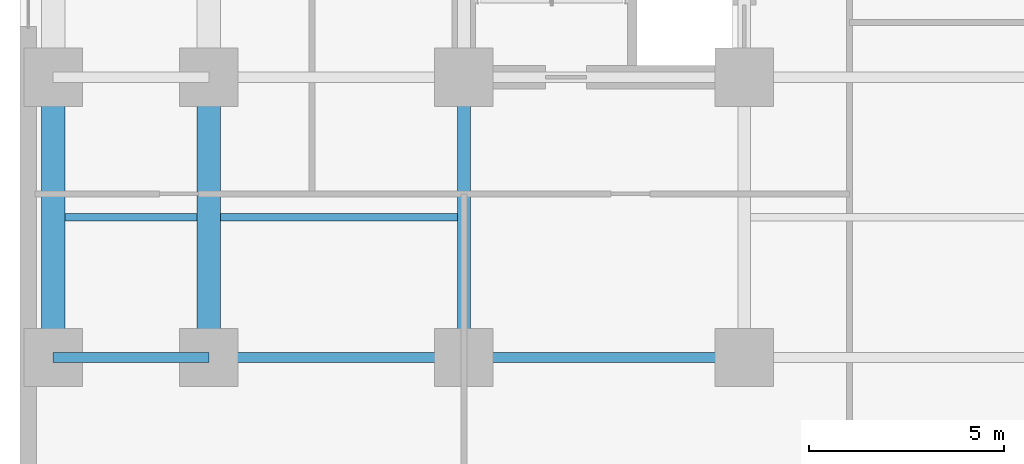
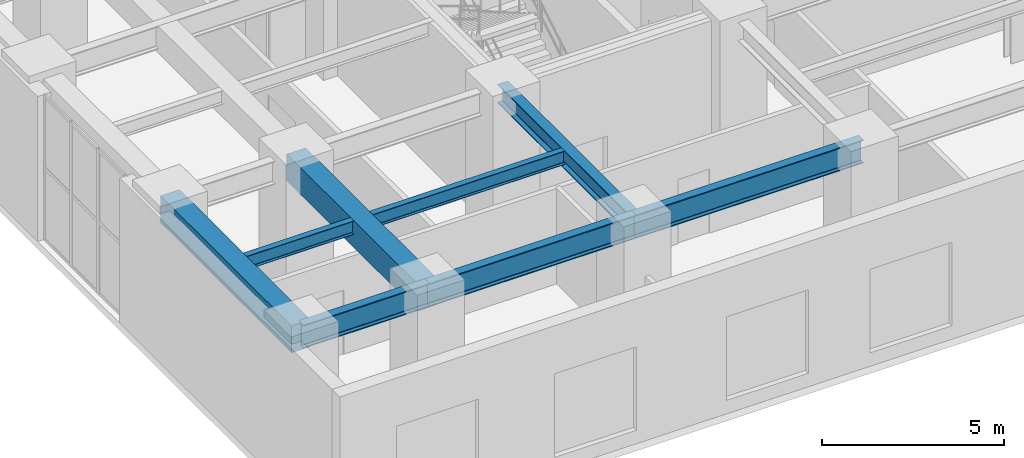
# One storey, part 3 of 23: 8 beams.
"""IFC4 building model written with IfcOpenShell, lengths in metres."""

from ifc_helpers import new_model, entity, si_unit, converted_unit, direction, frame, origin_with_axes, origin_2d_with_axis, place, context, subcontext, project, spatial, rectangle, i_section, extrude, material, material_profile, profile_set, type_object, element, save


model = new_model("IFC4")

# Units and contexts
model_context = context("Model", 3, precision=1e-05, world=origin_with_axes(), true_north=direction((0.0, 1.0)))
body_context = subcontext(model_context, "Body", "Model", "MODEL_VIEW")
ifc_project = project(units=[si_unit("LENGTHUNIT", "METRE"), si_unit("AREAUNIT", "SQUARE_METRE"), si_unit("VOLUMEUNIT", "CUBIC_METRE"), converted_unit("PLANEANGLEUNIT", "DEGREE", entity("IfcPlaneAngleMeasure", 0.017453292519943295), si_unit("PLANEANGLEUNIT", "RADIAN"), dimensions=[0, 0, 0, 0, 0, 0, 0]), si_unit("MASSUNIT", "GRAM", prefix="KILO"), si_unit("THERMODYNAMICTEMPERATUREUNIT", "KELVIN")], contexts=[model_context])

# Site, building, storey
site_placement = place(None, origin_with_axes())
site = spatial("IfcSite", under=ifc_project, at=site_placement, CompositionType="ELEMENT")
building_placement = place(site_placement, origin_with_axes())
building = spatial("IfcBuilding", under=site, at=building_placement, Name="Varnlund Millrace Tower", CompositionType="ELEMENT")
storey_placement = place(building_placement, frame((0.0, 0.0, 5.7), z_axis=(0.0, 0.0, 1.0), x_axis=(1.0, 0.0, 0.0)))
storey = spatial("IfcBuildingStorey", under=building, at=storey_placement, Name="L01", CompositionType="ELEMENT", Elevation=5.7)

# Beams
ifc_material_1 = material(Name="Steel ASTM A992 Grade 50", Category="steel")
ifc_material_profile_1 = material_profile(ifc_material_1, i_section(OverallWidth=0.328, OverallDepth=0.628, WebThickness=0.0165, FlangeThickness=0.0277, FilletRadius=0.018, at=origin_2d_with_axis()), Name="Steel ASTM A992 Grade 50")
ifc_profile_set_1 = profile_set([ifc_material_profile_1], Name="Steel ASTM A992 Grade 50")
beam_type_1 = type_object("IfcBeamType", Name="Type-Girder-W24X146", PredefinedType="USERDEFINED", material=ifc_profile_set_1)
beam_1_placement = place(storey_placement, frame((11.4, 3.6, 4.546), z_axis=(0.0, 1.0, 0.0), x_axis=(-1.0, 0.0, 0.0)))
element("IfcBeam", 1, at=beam_1_placement, inside=storey, type_object=beam_type_1, Name="Type-Girder-W24X146", ObjectType="GIRDER", PredefinedType="USERDEFINED", context=body_context, shape_type="SweptSolid", body=[
    extrude(i_section(OverallWidth=0.328, OverallDepth=0.628, WebThickness=0.0165, FlangeThickness=0.0277, FilletRadius=0.018, at=origin_2d_with_axis()), origin_with_axes(), (0.0, 0.0, 1.0), 7.2),
])
ifc_material_profile_2 = material_profile(ifc_material_1, i_section(OverallWidth=0.266, OverallDepth=0.779, WebThickness=0.0165, FlangeThickness=0.03, FilletRadius=0.02, at=origin_2d_with_axis()), Name="Steel ASTM A992 Grade 50")
ifc_profile_set_2 = profile_set([ifc_material_profile_2], Name="Steel ASTM A992 Grade 50")
beam_type_2 = type_object("IfcBeamType", Name="Type-Girder-W30X148", PredefinedType="USERDEFINED", material=ifc_profile_set_2)
beam_2_placement = place(storey_placement, frame((0.85, 3.6, 4.4705), z_axis=(1.0, 0.0, 0.0), x_axis=(0.0, 1.0, 0.0)))
element("IfcBeam", 2, at=beam_2_placement, inside=storey, type_object=beam_type_2, Name="Type-Girder-W30X148", ObjectType="GIRDER", PredefinedType="USERDEFINED", context=body_context, shape_type="SweptSolid", body=[
    extrude(i_section(OverallWidth=0.266, OverallDepth=0.779, WebThickness=0.0165, FlangeThickness=0.03, FilletRadius=0.02, at=origin_2d_with_axis()), origin_with_axes(), (0.0, 0.0, 1.0), 4.0),
])
beam_3_placement = place(storey_placement, frame((4.85, 3.6, 4.4705), z_axis=(1.0, 0.0, 0.0), x_axis=(0.0, 1.0, 0.0)))
element("IfcBeam", 3, at=beam_3_placement, inside=storey, type_object=beam_type_2, Name="Type-Girder-W30X148", ObjectType="GIRDER", PredefinedType="USERDEFINED", context=body_context, shape_type="SweptSolid", body=[
    extrude(i_section(OverallWidth=0.266, OverallDepth=0.779, WebThickness=0.0165, FlangeThickness=0.03, FilletRadius=0.02, at=origin_2d_with_axis()), origin_with_axes(), (0.0, 0.0, 1.0), 6.55),
])
beam_4_placement = place(storey_placement, frame((11.4, 3.6, 4.4705), z_axis=(1.0, 0.0, 0.0), x_axis=(0.0, 1.0, 0.0)))
element("IfcBeam", 4, at=beam_4_placement, inside=storey, type_object=beam_type_2, Name="Type-Girder-W30X148", ObjectType="GIRDER", PredefinedType="USERDEFINED", context=body_context, shape_type="SweptSolid", body=[
    extrude(i_section(OverallWidth=0.266, OverallDepth=0.779, WebThickness=0.0165, FlangeThickness=0.03, FilletRadius=0.02, at=origin_2d_with_axis()), origin_with_axes(), (0.0, 0.0, 1.0), 7.2),
])
ifc_material_profile_3 = material_profile(ifc_material_1, i_section(OverallWidth=0.191, OverallDepth=0.457, WebThickness=0.009, FlangeThickness=0.0145, FilletRadius=0.013, at=origin_2d_with_axis()), Name="Steel ASTM A992 Grade 50")
ifc_profile_set_3 = profile_set([ifc_material_profile_3], Name="Steel ASTM A992 Grade 50")
beam_type_3 = type_object("IfcBeamType", Name="Type-Joist-W18X50", PredefinedType="JOIST", material=ifc_profile_set_3)
beam_5_placement = place(storey_placement, frame((1.15, 7.2, 4.6315), z_axis=(1.0, 0.0, 0.0), x_axis=(0.0, 1.0, 0.0)))
element("IfcBeam", 5, at=beam_5_placement, inside=storey, type_object=beam_type_3, Name="Type-Joist-W18X50", PredefinedType="JOIST", context=body_context, shape_type="SweptSolid", body=[
    extrude(i_section(OverallWidth=0.191, OverallDepth=0.457, WebThickness=0.009, FlangeThickness=0.0145, FilletRadius=0.013, at=origin_2d_with_axis()), origin_with_axes(), (0.0, 0.0, 1.0), 3.4),
])
beam_6_placement = place(storey_placement, frame((5.15, 7.2, 4.6315), z_axis=(1.0, 0.0, 0.0), x_axis=(0.0, 1.0, 0.0)))
element("IfcBeam", 6, at=beam_6_placement, inside=storey, type_object=beam_type_3, Name="Type-Joist-W18X50", PredefinedType="JOIST", context=body_context, shape_type="SweptSolid", body=[
    extrude(i_section(OverallWidth=0.191, OverallDepth=0.457, WebThickness=0.009, FlangeThickness=0.0145, FilletRadius=0.013, at=origin_2d_with_axis()), origin_with_axes(), (0.0, 0.0, 1.0), 6.086),
])
ifc_material_2 = material(Name="Concrete C70/85", Category="concrete")
ifc_material_profile_4 = material_profile(ifc_material_2, rectangle(XDim=0.6, YDim=0.9, at=origin_2d_with_axis()), Name="Concrete C70/85")
ifc_profile_set_4 = profile_set([ifc_material_profile_4], Name="Concrete C70/85")
beam_type_4 = type_object("IfcBeamType", Name="Type-Spandrel-RC600X900", PredefinedType="SPANDREL", material=ifc_profile_set_4)
for number, where, z_axis, x_axis, name in (
    (7, (0.85, 3.6, 4.41), (0.0, 1.0, 0.0), (-1.0, 0.0, 0.0), "Type-Spandrel-RC600X900"),
    (8, (4.85, 3.6, 4.41), (0.0, 1.0, 0.0), (-1.0, 0.0, 0.0), "Type-Spandrel-RC600X900"),
):
    element("IfcBeam", number, at=place(storey_placement, frame(where, z_axis=z_axis, x_axis=x_axis)), inside=storey, type_object=beam_type_4, Name=name, PredefinedType="SPANDREL", context=body_context, shape_type="SweptSolid", body=[
        extrude(rectangle(XDim=0.6, YDim=0.9, at=origin_2d_with_axis()), origin_with_axes(), (0.0, 0.0, 1.0), 7.2),
    ])

save(model, "model.ifc")
